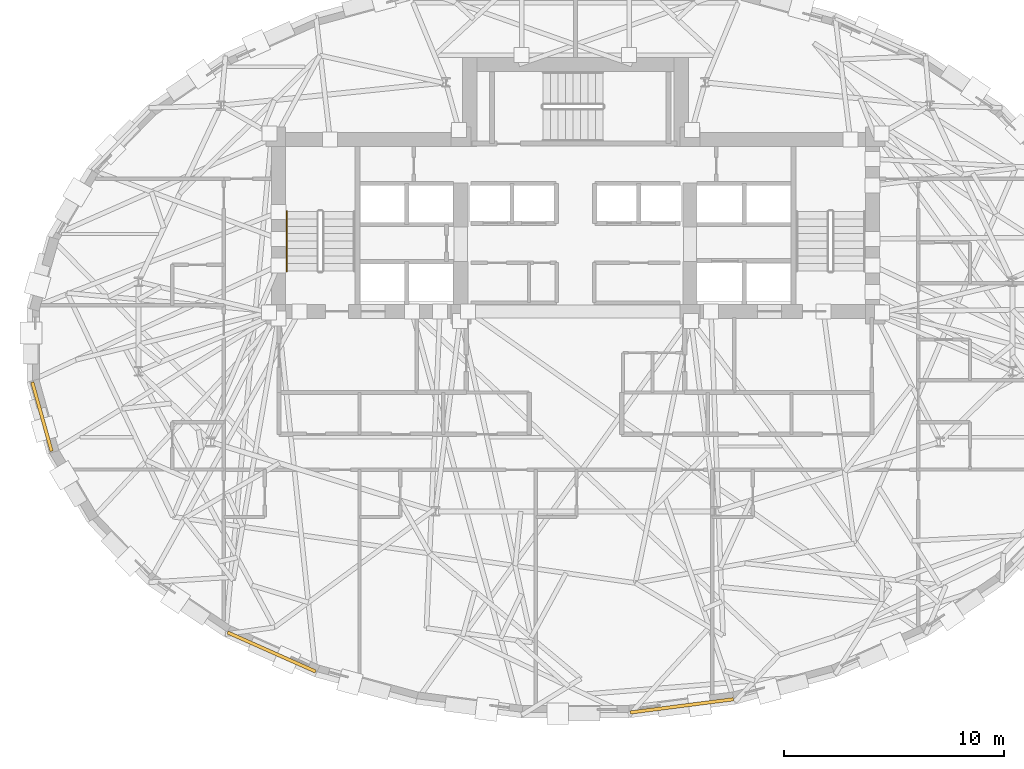
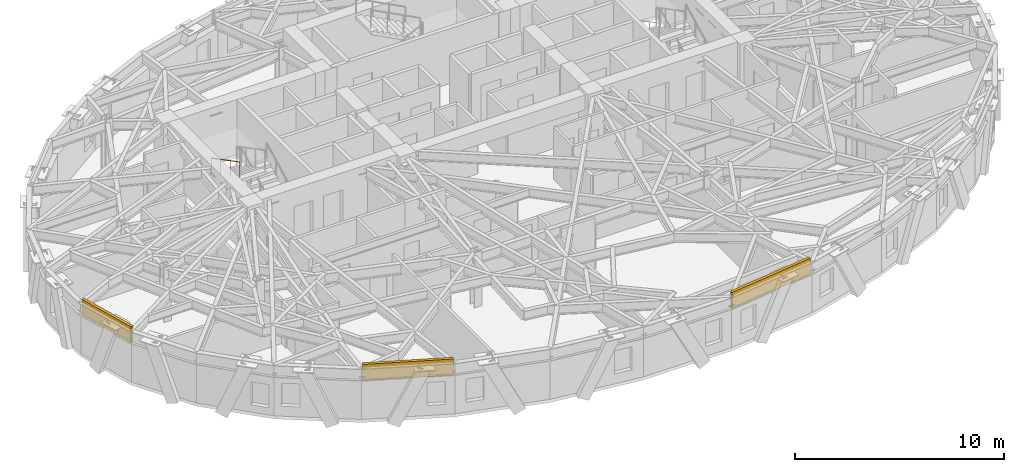
# One storey, part 12 of 15: 3 coverings, 1 railing.
"""IFC4 building model written with IfcOpenShell, lengths in metres."""

from ifc_helpers import new_model, si_unit, direction, frame, origin, origin_2d, place, context, subcontext, project, spatial, rectangle, circle, extrude, material, layer, layer_set, type_object, element, save


model = new_model("IFC4")

# Units and contexts
model_context = context("Model", 3, precision=1e-05, world=origin(), true_north=direction((0.0, 1.0)))
body_context = subcontext(model_context, "Body", "Model", "MODEL_VIEW")
ifc_project = project(units=[si_unit("LENGTHUNIT", "METRE"), si_unit("AREAUNIT", "SQUARE_METRE"), si_unit("VOLUMEUNIT", "CUBIC_METRE"), si_unit("PLANEANGLEUNIT", "RADIAN"), si_unit("MASSUNIT", "GRAM", prefix="KILO")], contexts=[model_context])

# Site, building, storey
site_placement = place(None, origin())
site = spatial("IfcSite", under=ifc_project, at=site_placement, CompositionType="ELEMENT")
building_placement = place(site_placement, origin())
building = spatial("IfcBuilding", under=site, at=building_placement, Name="Keldmark Tower", CompositionType="ELEMENT")
storey_placement = place(building_placement, frame((0.0, 0.0, 159.800048828125)))
storey = spatial("IfcBuildingStorey", under=building, at=storey_placement, Name="L43", CompositionType="ELEMENT", Elevation=159.800048828125)

# Coverings
ifc_material_1 = material(Name="Honed Kasota Buff Dolomitic Limestone", Category="masonry")
ifc_layer = layer(ifc_material_1, 0.074951171875)
ifc_layer_set = layer_set([ifc_layer], Name="Honed Kasota Buff Dolomitic Limestone")
covering_type = type_object("IfcCoveringType", Name="Kasota Buff Limestone Spandrel Cladding Band", PredefinedType="CLADDING", material=ifc_layer_set)
covering_1_placement = place(storey_placement, frame((-24.205322265625, -3.25, 2.239013671875), z_axis=(0.0, 0.0, 1.0), x_axis=(0.26920558486, -0.963082734286, 0.0)))
element("IfcCovering", 1, at=covering_1_placement, inside=storey, type_object=covering_type, Name="L43 Kasota Limestone Spandrel Band 17", PredefinedType="CLADDING", context=body_context, shape_type="SweptSolid", body=[
    extrude(rectangle(XDim=3.2568359375, YDim=0.14990234375, at=origin_2d()), origin(), (0.0, 0.0, 1.0), 0.94091796875),
])
covering_2_placement = place(storey_placement, frame((-13.78466796875, -13.9267578125, 2.239013671875), z_axis=(0.0, 0.0, 1.0), x_axis=(0.913921308103, -0.405891417247, 0.0)))
element("IfcCovering", 2, at=covering_2_placement, inside=storey, type_object=covering_type, Name="L43 Kasota Limestone Spandrel Band 21", PredefinedType="CLADDING", context=body_context, shape_type="SweptSolid", body=[
    extrude(rectangle(XDim=4.367431640625, YDim=0.14990234375, at=origin_2d()), origin(), (0.0, 0.0, 1.0), 0.94091796875),
])
covering_3_placement = place(storey_placement, frame((4.823974609375, -16.370849609375, 2.239013671875), z_axis=(0.0, 0.0, 1.0), x_axis=(0.991850028246, 0.12741083733, 0.0)))
element("IfcCovering", 3, at=covering_3_placement, inside=storey, type_object=covering_type, Name="L43 Kasota Limestone Spandrel Band 25", PredefinedType="CLADDING", context=body_context, shape_type="SweptSolid", body=[
    extrude(rectangle(XDim=4.717041015625, YDim=0.14990234375, at=origin_2d()), origin(), (0.0, 0.0, 1.0), 0.94091796875),
])

# Railing
ifc_material_2 = material(Name="Stainless Steel AISI 316L", Category="steel")
railing_type = type_object("IfcRailingType", Name="Stainless Steel Stair Handrail 900 mm", PredefinedType="HANDRAIL", material=ifc_material_2)
railing_placement = place(storey_placement, frame((-13.10009765625, 6.070068359375, 1.77783203125)))
element("IfcRailing", 4, at=railing_placement, inside=storey, type_object=railing_type, Name="L43 ST1 stair handrail 2", PredefinedType="HANDRAIL", context=body_context, shape_type="SweptSolid", body=[
    extrude(circle(Radius=0.02392578125, at=origin_2d()), frame((0.0, 0.0, 0.8759765625), z_axis=(0.0, -0.886183135912, 0.463335137482), x_axis=(1.0, 0.0, 0.0)), (0.0, 0.0, 1.0), 3.0693359375),
    extrude(circle(Radius=0.02099609375, at=origin_2d()), origin(), (0.0, 0.0, 1.0), 0.851806640625),
    extrude(circle(Radius=0.02099609375, at=origin_2d()), frame((0.0, -0.90673828125, 0.47412109375)), (0.0, 0.0, 1.0), 0.851806640625),
    extrude(circle(Radius=0.02099609375, at=origin_2d()), frame((0.0, -1.813232421875, 0.947998046875)), (0.0, 0.0, 1.0), 0.851806640625),
    extrude(circle(Radius=0.02099609375, at=origin_2d()), frame((0.0, -2.719970703125, 1.422119140625)), (0.0, 0.0, 1.0), 0.851806640625),
])

save(model, "model.ifc")
